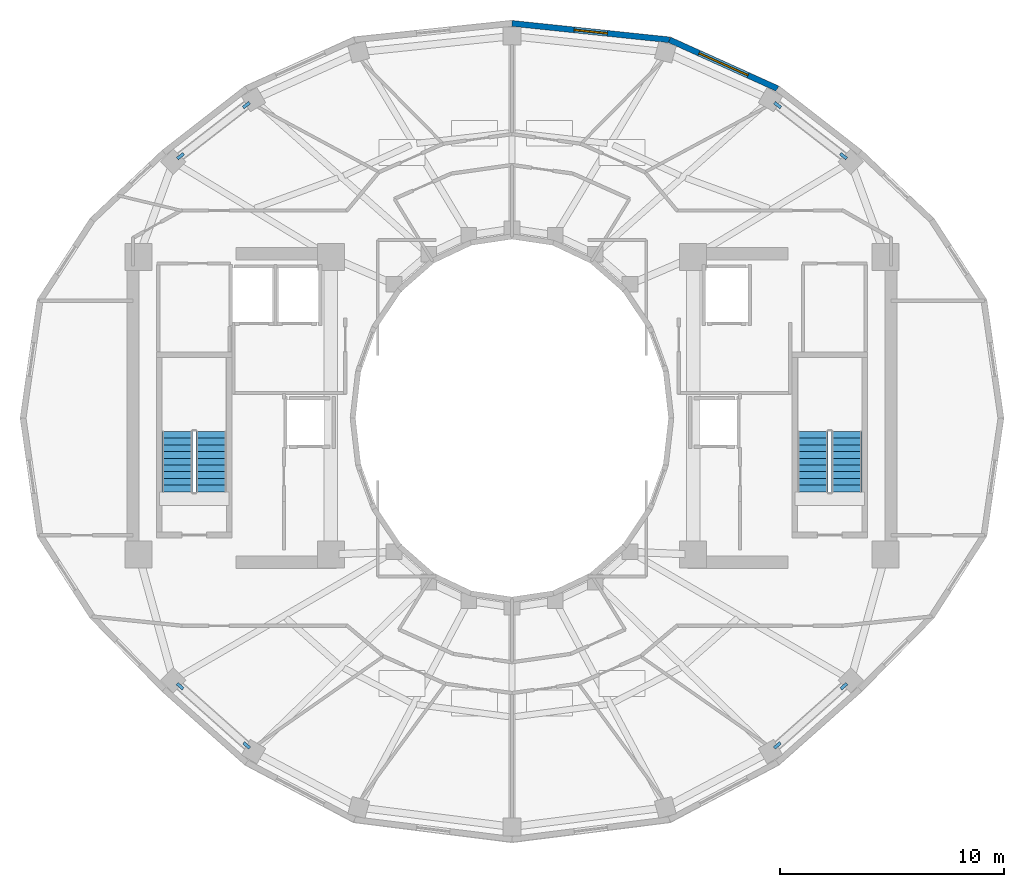
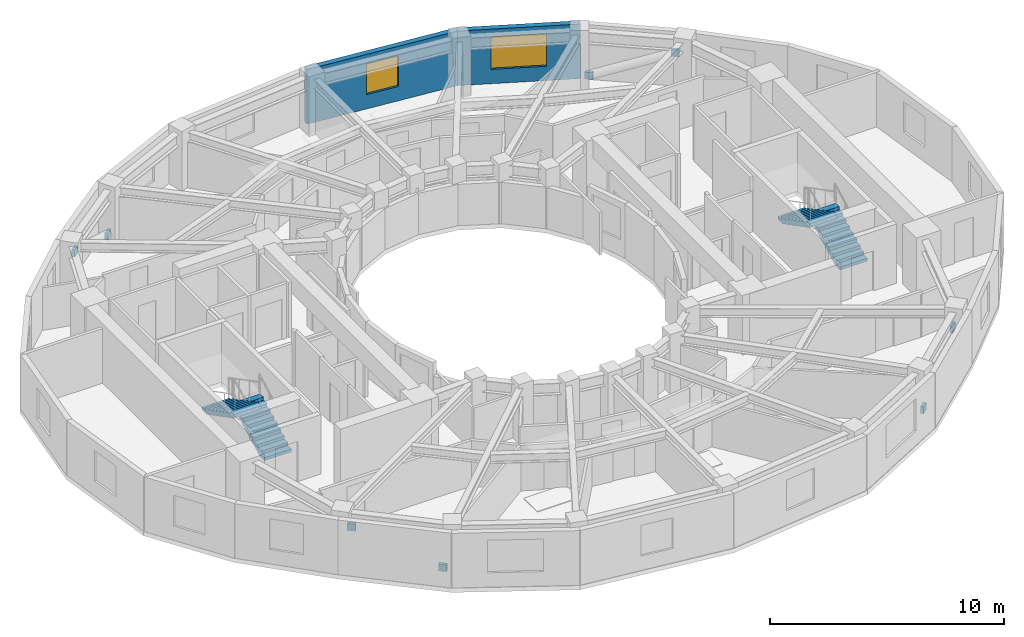
# One storey, part 7 of 9: 8 discrete accessories, 4 stair flights, 2 walls, 2 windows, 2 openings, 2 elements without a shape of their own.
"""IFC4 building model written with IfcOpenShell, lengths in metres."""

from ifc_helpers import new_model, si_unit, direction, frame, frame_2d, origin, origin_2d, place, context, subcontext, project, spatial, polyline, rectangle, outline, extrude, material, layer, layer_set, type_object, element, fill, aggregate, save


model = new_model("IFC4")

# Units and contexts
model_context = context("Model", 3, precision=1e-05, world=origin(), true_north=direction((0.0, 1.0)))
body_context = subcontext(model_context, "Body", "Model", "MODEL_VIEW")
ifc_project = project(units=[si_unit("LENGTHUNIT", "METRE"), si_unit("AREAUNIT", "SQUARE_METRE"), si_unit("VOLUMEUNIT", "CUBIC_METRE"), si_unit("PLANEANGLEUNIT", "RADIAN"), si_unit("MASSUNIT", "GRAM", prefix="KILO")], contexts=[model_context])

# Site, building, storey
site_placement = place(None, origin())
site = spatial("IfcSite", under=ifc_project, at=site_placement, CompositionType="ELEMENT")
building_placement = place(site_placement, origin())
building = spatial("IfcBuilding", under=site, at=building_placement, Name="Solvane Sanctuary Tower", CompositionType="ELEMENT")
storey_placement = place(building_placement, frame((0.0, 0.0, 232.60009765625)))
storey = spatial("IfcBuildingStorey", under=building, at=storey_placement, Name="L71", CompositionType="ELEMENT", Elevation=232.60009765625)

# Wall, opening, window
ifc_material_1 = material(Name="Precast concrete C40/50", Category="concrete")
ifc_layer_1 = layer(ifc_material_1, 0.260009765625, Name="Precast concrete C40/50")
ifc_layer_set_1 = layer_set([ifc_layer_1], Name="Precast concrete C40/50")
wall_type = type_object("IfcWallType", Name="Wall W-EXT-250", PredefinedType="STANDARD", material=ifc_layer_set_1)
wall_1_placement = place(storey_placement, frame((43.8701171875, 37.732666015625, 0.0), z_axis=(0.0, 0.0, 1.0), x_axis=(-0.911427484938, 0.411460738952, 0.0)))
wall_1 = element("IfcWall", 1, at=wall_1_placement, inside=storey, type_object=wall_type, Name="L71 Ceramic-Printed Facade Wall 04", PredefinedType="STANDARD", context=body_context, shape_type="SweptSolid", body=[
    extrude(rectangle(XDim=5.296142578125, YDim=0.260009765625, at=frame_2d((2.64794921875, 0.0))), origin(), (0.0, 0.0, 1.0), 2.849853515625),
])
opening_1_placement = place(wall_1_placement, frame((1.447998046875, 0.0, 0.75)))
opening_1 = element("IfcOpeningElement", 2, at=opening_1_placement, cuts=wall_1, Name="Opening WN-RIB-2400", PredefinedType="OPENING", context=body_context, shape_type="SweptSolid", body=[
    extrude(rectangle(XDim=2.39990234375, YDim=1.699951171875, at=frame_2d((1.199951171875, 0.85009765625))), frame((0.0, 0.139892578125, 0.0), z_axis=(0.0, -1.0, 0.0), x_axis=(1.0, 0.0, 0.0)), (0.0, 0.0, 1.0), 0.280029296875),
])
ifc_material_2 = material(Name="Dark Ceramic-Fritted Low-E Glass", Category="glass")
window_type_1 = type_object("IfcWindowType", Name="Window WN-RIB-2400", PartitioningType="SINGLE_PANEL", PredefinedType="WINDOW", material=ifc_material_2)
window_1_placement = place(opening_1_placement, origin())
window_1 = element("IfcWindow", 3, at=window_1_placement, inside=storey, type_object=window_type_1, Name="L71 Operable Facade Window 04", OverallHeight=1.699951171875, OverallWidth=2.39990234375, PartitioningType="SINGLE_PANEL", PredefinedType="WINDOW", context=body_context, shape_type="SweptSolid", body=[
    extrude(rectangle(XDim=2.39990234375, YDim=1.699951171875, at=frame_2d((1.199951171875, 0.85009765625))), frame((0.0, 0.030029296875, 0.0), z_axis=(0.0, -1.0, 0.0), x_axis=(1.0, 0.0, 0.0)), (0.0, 0.0, 1.0), 0.06005859375),
])
fill(opening_1, window_1)

wall_2_placement = place(storey_placement, frame((39.04296875, 39.911865234375, 0.0), z_axis=(0.0, 0.0, 1.0), x_axis=(-0.994582822721, 0.103947144014, 0.0)))
wall_2 = element("IfcWall", 4, at=wall_2_placement, inside=storey, type_object=wall_type, Name="L71 Ceramic-Printed Facade Wall 05", PredefinedType="STANDARD", context=body_context, shape_type="SweptSolid", body=[
    extrude(rectangle(XDim=7.081298828125, YDim=0.260009765625, at=frame_2d((3.54052734375, 0.0))), origin(), (0.0, 0.0, 1.0), 2.849853515625),
])
opening_2_placement = place(wall_2_placement, frame((2.790771484375, 0.0, 0.75)))
opening_2 = element("IfcOpeningElement", 5, at=opening_2_placement, cuts=wall_2, Name="Opening WN-OPER-1500", PredefinedType="OPENING", context=body_context, shape_type="SweptSolid", body=[
    extrude(rectangle(XDim=1.5, YDim=1.60009765625, at=frame_2d((0.75, 0.800048828125))), frame((0.0, 0.139892578125, 0.0), z_axis=(0.0, -1.0, 0.0), x_axis=(1.0, 0.0, 0.0)), (0.0, 0.0, 1.0), 0.280029296875),
])
window_type_2 = type_object("IfcWindowType", Name="Window WN-OPER-1500", PartitioningType="SINGLE_PANEL", PredefinedType="WINDOW", material=ifc_material_2)
window_2_placement = place(opening_2_placement, origin())
window_2 = element("IfcWindow", 6, at=window_2_placement, inside=storey, type_object=window_type_2, Name="L71 Operable Facade Window 05", OverallHeight=1.60009765625, OverallWidth=1.5, PartitioningType="SINGLE_PANEL", PredefinedType="WINDOW", context=body_context, shape_type="SweptSolid", body=[
    extrude(rectangle(XDim=1.5, YDim=1.60009765625, at=frame_2d((0.75, 0.800048828125))), frame((0.0, 0.030029296875, 0.0), z_axis=(0.0, -1.0, 0.0), x_axis=(1.0, 0.0, 0.0)), (0.0, 0.0, 1.0), 0.06005859375),
])
fill(opening_2, window_2)

# Stair, stair flights
ifc_material_3 = material(Name="Concrete C45/55", Category="concrete")
stair_type = type_object("IfcStairType", Name="Stair ST-TOW", PredefinedType="HALF_TURN_STAIR", material=ifc_material_3)
stair_1_placement = place(storey_placement, origin())
stair_1 = element("IfcStair", 7, at=stair_1_placement, inside=storey, type_object=stair_type, Name="L71 Exit Stair ST-1 West Core", PredefinedType="HALF_TURN_STAIR")
stair_flight_type = type_object("IfcStairFlightType", Name="StairFlight SF-TOW", PredefinedType="STRAIGHT", material=ifc_material_3)
stair_flight_1_placement = place(storey_placement, frame((18.544921875, 19.699951171875, 0.0), z_axis=(0.0, 0.0, 1.0), x_axis=(0.0, 1.0, 0.0)))
stair_flight_1 = element("IfcStairFlight", 8, at=stair_flight_1_placement, type_object=stair_flight_type, Name="ST-1 flight 1", NumberOfRisers=10, NumberOfTreads=9, PredefinedType="STRAIGHT", RiserHeight=0.155, TreadLength=0.3, context=body_context, shape_type="SweptSolid", body=[
    extrude(outline(polyline([(0.0, 0.0), (0.0, 0.155029296875), (0.300048828125, 0.155029296875), (0.300048828125, 0.31005859375), (0.60009765625, 0.31005859375), (0.60009765625, 0.465087890625), (0.89990234375, 0.465087890625), (0.89990234375, 0.6201171875), (1.199951171875, 0.6201171875), (1.199951171875, 0.77490234375), (1.5, 0.77490234375), (1.5, 0.929931640625), (1.800048828125, 0.929931640625), (1.800048828125, 1.0849609375), (2.10009765625, 1.0849609375), (2.10009765625, 1.239990234375), (2.39990234375, 1.239990234375), (2.39990234375, 1.39501953125), (2.699951171875, 1.39501953125), (2.699951171875, 1.550048828125), (2.699951171875, 1.1923828125), (0.39208984375, 0.0), (0.0, 0.0)])), frame((0.0, 0.675048828125, 0.0), z_axis=(0.0, -1.0, 0.0), x_axis=(1.0, 0.0, 0.0)), (0.0, 0.0, 1.0), 1.35009765625),
])
stair_flight_2_placement = place(storey_placement, frame((17.034912109375, 22.39990234375, 1.5498046875), z_axis=(0.0, 0.0, 1.0), x_axis=(0.0, -1.0, 0.0)))
stair_flight_2 = element("IfcStairFlight", 9, at=stair_flight_2_placement, type_object=stair_flight_type, Name="ST-1 flight 2", NumberOfRisers=10, NumberOfTreads=9, PredefinedType="STRAIGHT", RiserHeight=0.155, TreadLength=0.3, context=body_context, shape_type="SweptSolid", body=[
    extrude(outline(polyline([(0.0, 0.0), (0.0, 0.155029296875), (0.300048828125, 0.155029296875), (0.300048828125, 0.31005859375), (0.60009765625, 0.31005859375), (0.60009765625, 0.465087890625), (0.89990234375, 0.465087890625), (0.89990234375, 0.6201171875), (1.199951171875, 0.6201171875), (1.199951171875, 0.77490234375), (1.5, 0.77490234375), (1.5, 0.929931640625), (1.800048828125, 0.929931640625), (1.800048828125, 1.0849609375), (2.10009765625, 1.0849609375), (2.10009765625, 1.239990234375), (2.39990234375, 1.239990234375), (2.39990234375, 1.39501953125), (2.699951171875, 1.39501953125), (2.699951171875, 1.550048828125), (2.699951171875, 1.1923828125), (0.39208984375, 0.0), (0.0, 0.0)])), frame((0.0, 0.675048828125, 0.0), z_axis=(0.0, -1.0, 0.0), x_axis=(1.0, 0.0, 0.0)), (0.0, 0.0, 1.0), 1.35009765625),
])
aggregate(stair_1, [stair_flight_1, stair_flight_2])

stair_2_placement = place(storey_placement, origin())
stair_2 = element("IfcStair", 10, at=stair_2_placement, inside=storey, type_object=stair_type, Name="L71 Exit Stair ST-2 East Core", PredefinedType="HALF_TURN_STAIR")
stair_flight_3_placement = place(storey_placement, frame((46.965087890625, 19.699951171875, 0.0), z_axis=(0.0, 0.0, 1.0), x_axis=(0.0, 1.0, 0.0)))
stair_flight_3 = element("IfcStairFlight", 11, at=stair_flight_3_placement, type_object=stair_flight_type, Name="ST-2 flight 1", NumberOfRisers=10, NumberOfTreads=9, PredefinedType="STRAIGHT", RiserHeight=0.155, TreadLength=0.3, context=body_context, shape_type="SweptSolid", body=[
    extrude(outline(polyline([(0.0, 0.0), (0.0, 0.155029296875), (0.300048828125, 0.155029296875), (0.300048828125, 0.31005859375), (0.60009765625, 0.31005859375), (0.60009765625, 0.465087890625), (0.89990234375, 0.465087890625), (0.89990234375, 0.6201171875), (1.199951171875, 0.6201171875), (1.199951171875, 0.77490234375), (1.5, 0.77490234375), (1.5, 0.929931640625), (1.800048828125, 0.929931640625), (1.800048828125, 1.0849609375), (2.10009765625, 1.0849609375), (2.10009765625, 1.239990234375), (2.39990234375, 1.239990234375), (2.39990234375, 1.39501953125), (2.699951171875, 1.39501953125), (2.699951171875, 1.550048828125), (2.699951171875, 1.1923828125), (0.39208984375, 0.0), (0.0, 0.0)])), frame((0.0, 0.675048828125, 0.0), z_axis=(0.0, -1.0, 0.0), x_axis=(1.0, 0.0, 0.0)), (0.0, 0.0, 1.0), 1.35009765625),
])
stair_flight_4_placement = place(storey_placement, frame((45.455078125, 22.39990234375, 1.5498046875), z_axis=(0.0, 0.0, 1.0), x_axis=(0.0, -1.0, 0.0)))
stair_flight_4 = element("IfcStairFlight", 12, at=stair_flight_4_placement, type_object=stair_flight_type, Name="ST-2 flight 2", NumberOfRisers=10, NumberOfTreads=9, PredefinedType="STRAIGHT", RiserHeight=0.155, TreadLength=0.3, context=body_context, shape_type="SweptSolid", body=[
    extrude(outline(polyline([(0.0, 0.0), (0.0, 0.155029296875), (0.300048828125, 0.155029296875), (0.300048828125, 0.31005859375), (0.60009765625, 0.31005859375), (0.60009765625, 0.465087890625), (0.89990234375, 0.465087890625), (0.89990234375, 0.6201171875), (1.199951171875, 0.6201171875), (1.199951171875, 0.77490234375), (1.5, 0.77490234375), (1.5, 0.929931640625), (1.800048828125, 0.929931640625), (1.800048828125, 1.0849609375), (2.10009765625, 1.0849609375), (2.10009765625, 1.239990234375), (2.39990234375, 1.239990234375), (2.39990234375, 1.39501953125), (2.699951171875, 1.39501953125), (2.699951171875, 1.550048828125), (2.699951171875, 1.1923828125), (0.39208984375, 0.0), (0.0, 0.0)])), frame((0.0, 0.675048828125, 0.0), z_axis=(0.0, -1.0, 0.0), x_axis=(1.0, 0.0, 0.0)), (0.0, 0.0, 1.0), 1.35009765625),
])
aggregate(stair_2, [stair_flight_3, stair_flight_4])

# Discrete accessories
ifc_material_4 = material(Name="Steel ASTM A572 Grade 50", Category="steel")
ifc_layer_2 = layer(ifc_material_4, 0.360107421875, Name="Steel ASTM A572 Grade 50")
ifc_layer_set_2 = layer_set([ifc_layer_2], Name="Steel ASTM A572 Grade 50")
discrete_accessory_type = type_object("IfcDiscreteAccessoryType", Name="Accessory ACC-GUSSET-BRK", PredefinedType="BRACKET", material=ifc_layer_set_2)
for number, where, z_axis, x_axis, name in (
    (13, (43.8779296875, 36.991455078125, 0.3681640625), (0.0, 0.0, 1.0), (0.790689573744, -0.612217280034, 0.0), "L71 Perimeter Braced-Tube Diagonal NE End Gusset Bracket A"),
    (14, (46.822509765625, 34.71142578125, 1.90185546875), (0.0, 0.0, 1.0), (0.790689573744, -0.612217280034, 0.0), "L71 Perimeter Braced-Tube Diagonal NE End Gusset Bracket B"),
    (15, (20.1220703125, 36.991455078125, 0.3681640625), (0.0, 0.0, 1.0), (-0.790689573744, -0.612217280034, 0.0), "L71 Perimeter Braced-Tube Diagonal NW End Gusset Bracket A"),
    (16, (17.177490234375, 34.71142578125, 1.90185546875), (0.0, 0.0, 1.0), (-0.790689573744, -0.612217280034, 0.0), "L71 Perimeter Braced-Tube Diagonal NW End Gusset Bracket B"),
    (17, (20.13623046875, 8.360595703125, 0.36083984375), (0.0, 0.0, 1.0), (-0.747218420912, 0.664578536706, 0.0), "L71 Perimeter Braced-Tube Diagonal SW End Gusset Bracket A"),
    (18, (17.157958984375, 11.009765625, 1.912109375), (0.0, 0.0, 1.0), (-0.747218420912, 0.664578536706, 0.0), "L71 Perimeter Braced-Tube Diagonal SW End Gusset Bracket B"),
    (19, (43.86376953125, 8.360595703125, 0.36083984375), (0.0, 0.0, 1.0), (0.747218420912, 0.664578536706, 0.0), "L71 Perimeter Braced-Tube Diagonal SE End Gusset Bracket A"),
    (20, (46.842041015625, 11.009765625, 1.912109375), (0.0, 0.0, 1.0), (0.747218420912, 0.664578536706, 0.0), "L71 Perimeter Braced-Tube Diagonal SE End Gusset Bracket B"),
):
    element("IfcDiscreteAccessory", number, at=place(storey_placement, frame(where, z_axis=z_axis, x_axis=x_axis)), inside=storey, type_object=discrete_accessory_type, Name=name, PredefinedType="BRACKET", context=body_context, shape_type="SweptSolid", body=[
        extrude(rectangle(XDim=0.360107421875, YDim=0.139892578125, at=origin_2d()), origin(), (0.0, 0.0, 1.0), 0.360107421875),
    ])

save(model, "model.ifc")
